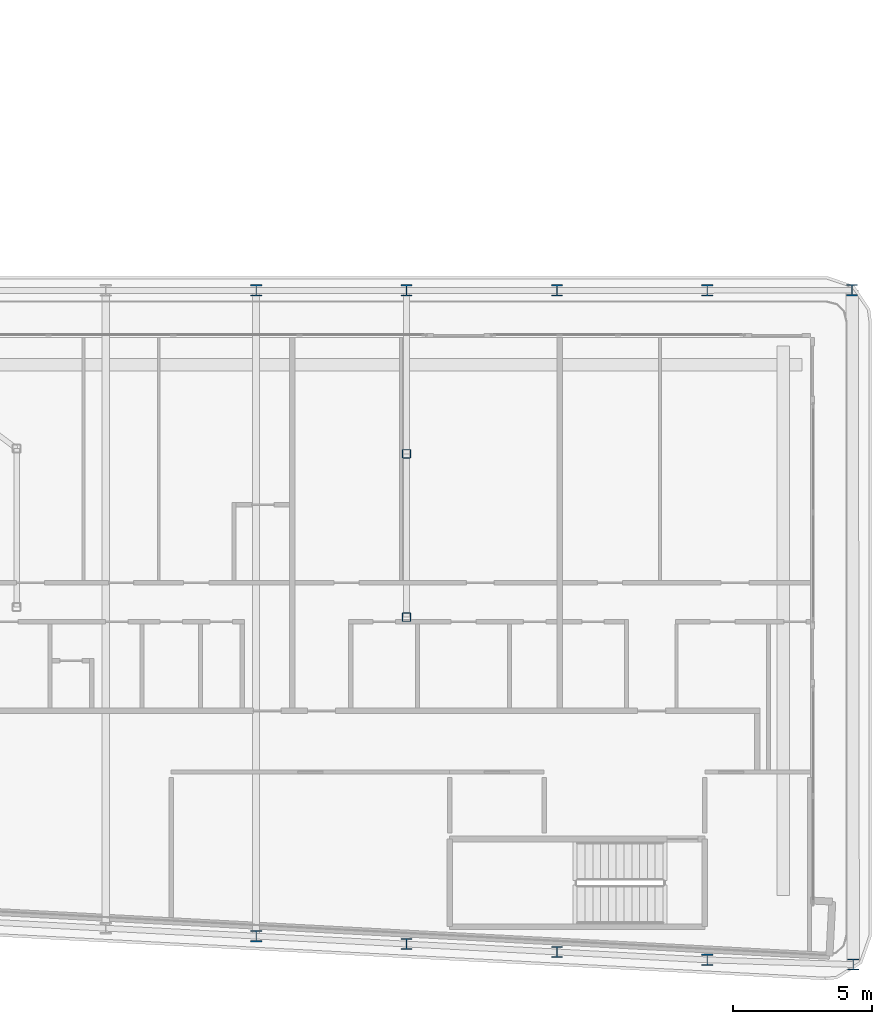
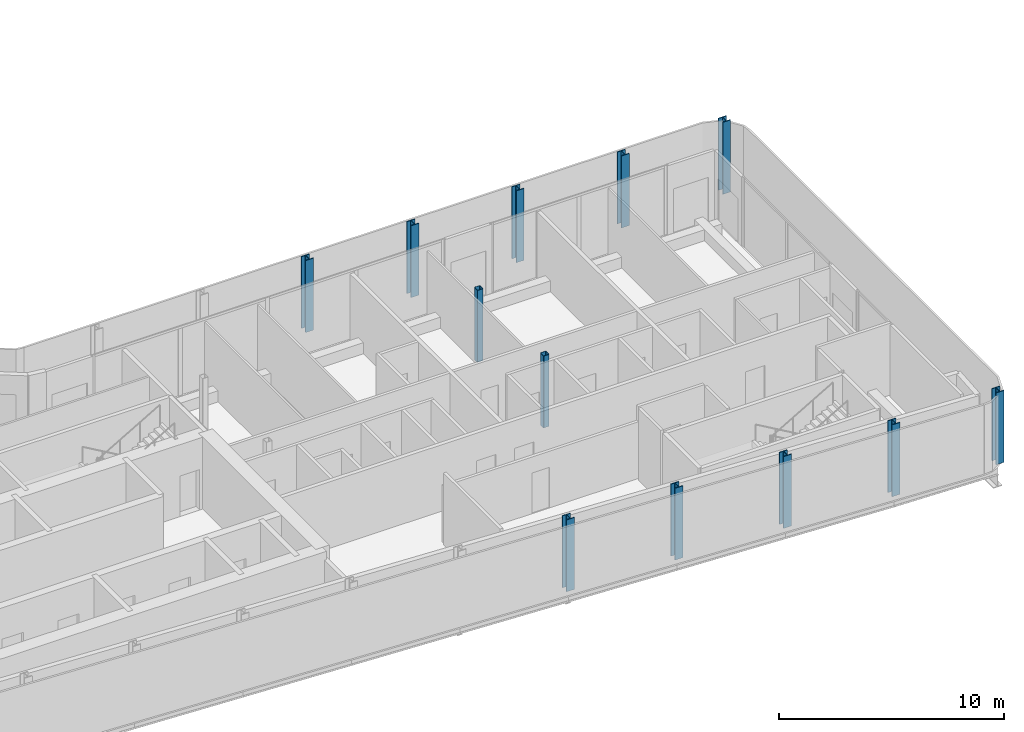
# One storey, part 2 of 22: 12 columns.
"""IFC4 building model written with IfcOpenShell, lengths in metres."""

from ifc_helpers import new_model, si_unit, direction, frame, origin, origin_2d, place, context, subcontext, project, spatial, hollow_rectangle, i_section, extrude, material, material_profile, profile_set, type_object, element, save


model = new_model("IFC4")

# Units and contexts
model_context = context("Model", 3, precision=1e-05, world=origin(), true_north=direction((0.0, 1.0)))
body_context = subcontext(model_context, "Body", "Model", "MODEL_VIEW")
ifc_project = project(units=[si_unit("LENGTHUNIT", "METRE"), si_unit("AREAUNIT", "SQUARE_METRE"), si_unit("VOLUMEUNIT", "CUBIC_METRE"), si_unit("PLANEANGLEUNIT", "RADIAN"), si_unit("MASSUNIT", "GRAM", prefix="KILO")], contexts=[model_context])

# Site, building, storey
site_placement = place(None, origin())
site = spatial("IfcSite", under=ifc_project, at=site_placement, CompositionType="ELEMENT")
building_placement = place(site_placement, origin())
building = spatial("IfcBuilding", under=site, at=building_placement, Name="Kheshtan School and Residences Tower", CompositionType="ELEMENT")
storey_placement = place(building_placement, frame((0.0, 0.0, 216.199951171875)))
storey = spatial("IfcBuildingStorey", under=building, at=storey_placement, Name="L50", CompositionType="ELEMENT", Elevation=216.199951171875)

# Columns
ifc_material_1 = material(Name="Steel ASTM A992 Grade 50", Category="steel")
ifc_material_profile_1 = material_profile(ifc_material_1, i_section(OverallWidth=0.404052734375, OverallDepth=0.406982421875, WebThickness=0.027099609375, FlangeThickness=0.043701171875, FilletRadius=0.01220703125, at=origin_2d()), Name="W360x347")
ifc_profile_set_1 = profile_set([ifc_material_profile_1], Name="Steel ASTM A992 Grade 50")
column_type_1 = type_object("IfcColumnType", Name="Column C4 W360x347 ASTM A992 Grade 50", PredefinedType="COLUMN", material=ifc_profile_set_1)
for number, where, z_axis, x_axis, name in (
    (1, (85.238037109375, 21.39111328125, 0.0), (0.0, 0.0, 1.0), (1.0, 0.0, 0.0), "Column C009"),
    (2, (80.0, 21.55810546875, 0.0), (0.0, 0.0, 1.0), (1.0, 0.0, 0.0), "Column C012"),
    (3, (74.60009765625, 21.843017578125, 0.0), (0.0, 0.0, 1.0), (1.0, 0.0, 0.0), "Column C013"),
    (4, (69.199951171875, 22.126953125, 0.0), (0.0, 0.0, 1.0), (1.0, 0.0, 0.0), "Column C014"),
    (5, (63.800048828125, 22.410888671875, 0.0), (0.0, 0.0, 1.0), (1.0, 0.0, 0.0), "Column C016"),
    (6, (63.800048828125, 45.60009765625, 0.0), (0.0, 0.0, 1.0), (1.0, 0.0, 0.0), "Column C063"),
    (7, (69.199951171875, 45.60009765625, 0.0), (0.0, 0.0, 1.0), (1.0, 0.0, 0.0), "Column C064"),
    (8, (74.60009765625, 45.60009765625, 0.0), (0.0, 0.0, 1.0), (1.0, 0.0, 0.0), "Column C065"),
    (9, (80.0, 45.60009765625, 0.0), (0.0, 0.0, 1.0), (1.0, 0.0, 0.0), "Column C066"),
    (10, (85.199951171875, 45.60693359375, 0.0), (0.0, 0.0, 1.0), (1.0, 0.0, 0.0), "Column C071"),
):
    element("IfcColumn", number, at=place(storey_placement, frame(where, z_axis=z_axis, x_axis=x_axis)), inside=storey, type_object=column_type_1, Name=name, PredefinedType="COLUMN", context=body_context, shape_type="SweptSolid", body=[
        extrude(i_section(OverallWidth=0.404052734375, OverallDepth=0.406982421875, WebThickness=0.027099609375, FlangeThickness=0.043701171875, FilletRadius=0.01220703125, at=origin_2d()), origin(), (0.0, 0.0, 1.0), 3.900146484375),
    ])
ifc_material_2 = material(Name="Steel ASTM A500 Grade C", Category="steel")
ifc_material_profile_2 = material_profile(ifc_material_2, hollow_rectangle(XDim=0.304931640625, YDim=0.304931640625, WallThickness=0.015869140625, InnerFilletRadius=0.015869140625, OuterFilletRadius=0.03173828125, at=origin_2d()), Name="HSS 305x305x15.9")
ifc_profile_set_2 = profile_set([ifc_material_profile_2], Name="Steel ASTM A500 Grade C")
column_type_2 = type_object("IfcColumnType", Name="Column IC2 HSS 305x305x15.9 ASTM A500 Grade C", PredefinedType="COLUMN", material=ifc_profile_set_2)
for number, where, z_axis, x_axis, name in (
    (11, (69.199951171875, 33.863037109375, 0.0), (0.0, 0.0, 1.0), (1.0, 0.0, 0.0), "Column C050"),
    (12, (69.199951171875, 39.73193359375, 0.0), (0.0, 0.0, 1.0), (1.0, 0.0, 0.0), "Column C054"),
):
    element("IfcColumn", number, at=place(storey_placement, frame(where, z_axis=z_axis, x_axis=x_axis)), inside=storey, type_object=column_type_2, Name=name, PredefinedType="COLUMN", context=body_context, shape_type="SweptSolid", body=[
        extrude(hollow_rectangle(XDim=0.304931640625, YDim=0.304931640625, WallThickness=0.015869140625, InnerFilletRadius=0.015869140625, OuterFilletRadius=0.03173828125, at=origin_2d()), origin(), (0.0, 0.0, 1.0), 3.900146484375),
    ])

save(model, "model.ifc")
